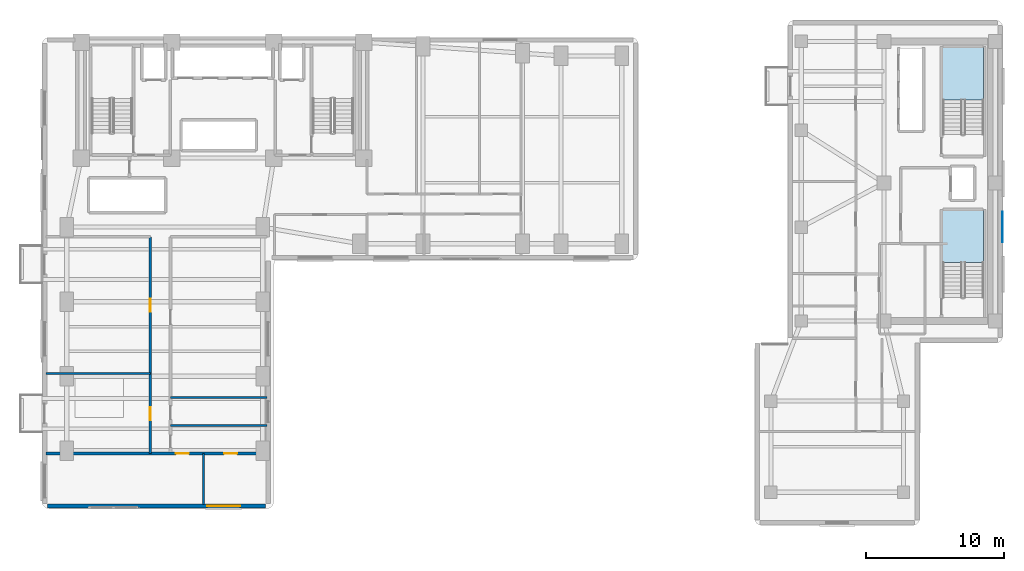
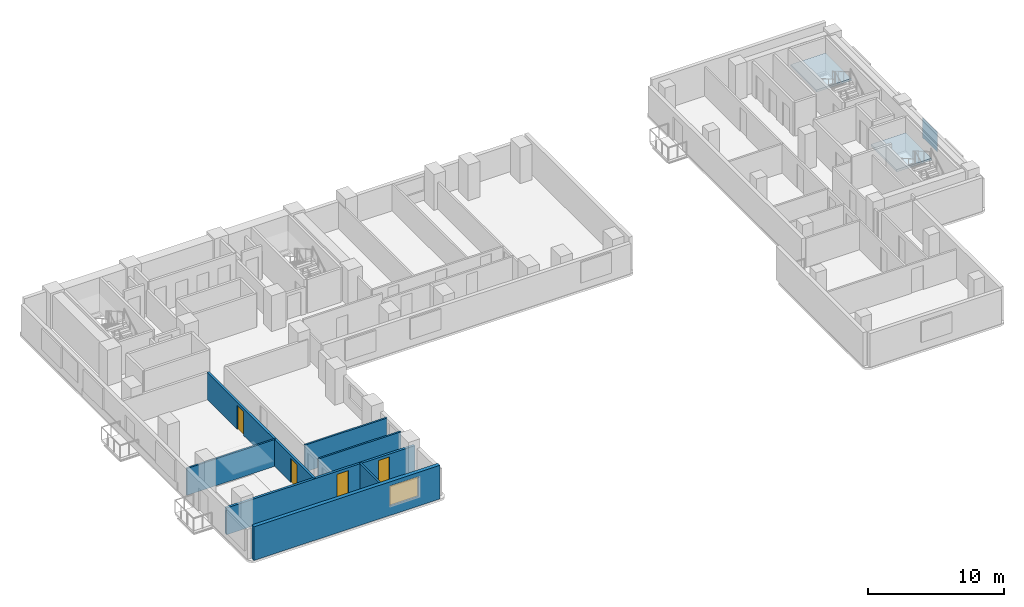
# One storey, part 8 of 16: 7 walls, 4 doors, 2 slabs, 1 plate, 1 window, 5 openings, 2 elements without a shape of their own.
"""IFC4 building model written with IfcOpenShell, lengths in metres."""

from ifc_helpers import new_model, si_unit, direction, frame, frame_2d, origin, origin_2d, place, context, subcontext, project, spatial, polyline, rectangle, outline, extrude, material, layer, layer_set, type_object, element, fill, aggregate, save


model = new_model("IFC4")

# Units and contexts
model_context = context("Model", 3, precision=1e-05, world=origin(), true_north=direction((0.0, 1.0)))
body_context = subcontext(model_context, "Body", "Model", "MODEL_VIEW")
ifc_project = project(units=[si_unit("LENGTHUNIT", "METRE"), si_unit("AREAUNIT", "SQUARE_METRE"), si_unit("VOLUMEUNIT", "CUBIC_METRE"), si_unit("PLANEANGLEUNIT", "RADIAN"), si_unit("MASSUNIT", "GRAM", prefix="KILO")], contexts=[model_context])

# Site, building, storey
site_placement = place(None, origin())
site = spatial("IfcSite", under=ifc_project, at=site_placement, CompositionType="ELEMENT")
building_placement = place(site_placement, origin())
building = spatial("IfcBuilding", under=site, at=building_placement, Name="Kuzgunbayir Cultural Tower", CompositionType="ELEMENT")
storey_placement = place(building_placement, frame((0.0, 0.0, 66.0)))
storey = spatial("IfcBuildingStorey", under=building, at=storey_placement, Name="L18", CompositionType="ELEMENT", Elevation=66.0)

# Plate
ifc_material_1 = material(Name="Perforated Bronze-Anodised Aluminium", Category="aluminium")
ifc_layer_1 = layer(ifc_material_1, 0.02392578125)
ifc_layer_set_1 = layer_set([ifc_layer_1], Name="Perforated Bronze-Anodised Aluminium")
plate_type = type_object("IfcPlateType", Name="PLT-SOLAR-SCREEN-14", PredefinedType="SHEET", material=ifc_layer_set_1)
plate_placement = place(storey_placement, frame((73.169921875, 28.800048828125, 0.75), z_axis=(0.0, 0.0, 1.0), x_axis=(1.0, 0.0, 0.0)))
element("IfcPlate", 1, at=plate_placement, inside=storey, type_object=plate_type, Name="L18 Companion Perforated Ceramic Solar Screen Panel", PredefinedType="SHEET", context=body_context, shape_type="SweptSolid", body=[
    extrude(rectangle(XDim=0.02392578125, YDim=2.199951171875, at=origin_2d()), origin(), (0.0, 0.0, 1.0), 1.800048828125),
])

# Stair, slab
ifc_material_2 = material(Name="Concrete C40/50", Category="concrete")
stair_type = type_object("IfcStairType", Name="STR-EXIT-CORE", PredefinedType="HALF_TURN_STAIR", material=ifc_material_2)
stair_1_placement = place(storey_placement, origin())
stair_1 = element("IfcStair", 2, at=stair_1_placement, inside=storey, type_object=stair_type, Name="L18 ST-3", PredefinedType="HALF_TURN_STAIR")
ifc_layer_2 = layer(ifc_material_2, 0.179931640625)
ifc_layer_set_2 = layer_set([ifc_layer_2], Name="Concrete C40/50")
slab_type = type_object("IfcSlabType", Name="SLB-LANDING-180", PredefinedType="LANDING", material=ifc_layer_set_2)
slab_1_placement = place(storey_placement, frame((0.0, 0.0, 1.39990234375)))
slab_1 = element("IfcSlab", 3, at=slab_1_placement, type_object=slab_type, Name="ST-3 landing 1", PredefinedType="LANDING", context=body_context, shape_type="SweptSolid", body=[
    extrude(outline(polyline([(71.800048828125, 26.219970703125), (71.800048828125, 30.0), (68.840087890625, 30.0), (68.840087890625, 26.219970703125), (71.800048828125, 26.219970703125)])), origin(), (0.0, 0.0, 1.0), 0.2001953125),
])
aggregate(stair_1, [slab_1])

stair_2_placement = place(storey_placement, origin())
stair_2 = element("IfcStair", 4, at=stair_2_placement, inside=storey, type_object=stair_type, Name="L18 ST-4", PredefinedType="HALF_TURN_STAIR")
slab_2_placement = place(storey_placement, frame((0.0, 0.0, 1.39990234375)))
slab_2 = element("IfcSlab", 5, at=slab_2_placement, type_object=slab_type, Name="ST-4 landing 1", PredefinedType="LANDING", context=body_context, shape_type="SweptSolid", body=[
    extrude(outline(polyline([(71.800048828125, 38.02001953125), (71.800048828125, 41.800048828125), (68.840087890625, 41.800048828125), (68.840087890625, 38.02001953125), (71.800048828125, 38.02001953125)])), origin(), (0.0, 0.0, 1.0), 0.2001953125),
])
aggregate(stair_2, [slab_2])

# Wall, opening, window
ifc_material_3 = material(Name="Travertine Buff Ashlar", Category="masonry")
ifc_layer_3 = layer(ifc_material_3, 0.320068359375)
ifc_layer_set_3 = layer_set([ifc_layer_3], Name="Travertine Buff Ashlar")
wall_type_1 = type_object("IfcWallType", Name="WAL-EXT-STONE-320", PredefinedType="STANDARD", material=ifc_layer_set_3)
wall_1_placement = place(storey_placement, frame((4.0, 8.60009765625, 0.0), z_axis=(0.0, 0.0, 1.0), x_axis=(1.0, 0.0, 0.0)))
wall_1 = element("IfcWall", 6, at=wall_1_placement, inside=storey, type_object=wall_type_1, Name="L18 Wing A South Limestone Wall", PredefinedType="STANDARD", context=body_context, shape_type="SweptSolid", body=[
    extrude(rectangle(XDim=15.800048828125, YDim=0.320068359375, at=frame_2d((7.89990234375, 0.0))), origin(), (0.0, 0.0, 1.0), 3.02001953125),
])
opening_1_placement = place(wall_1_placement, frame((11.56005859375, 0.0, 0.85009765625)))
opening_1 = element("IfcOpeningElement", 7, at=opening_1_placement, cuts=wall_1, Name="Opening WO-24", PredefinedType="OPENING", context=body_context, shape_type="SweptSolid", body=[
    extrude(rectangle(XDim=2.39990234375, YDim=1.800048828125, at=frame_2d((1.199951171875, 0.89990234375))), frame((0.0, 0.169921875, 0.0), z_axis=(0.0, -1.0, 0.0), x_axis=(1.0, 0.0, 0.0)), (0.0, 0.0, 1.0), 0.340087890625),
])
ifc_material_4 = material(Name="Solar-Control Triple Glazing", Category="glass")
window_type = type_object("IfcWindowType", Name="WIN-OFFICE-24", PartitioningType="SINGLE_PANEL", PredefinedType="WINDOW", material=ifc_material_4)
window_placement = place(opening_1_placement, origin())
window = element("IfcWindow", 8, at=window_placement, inside=storey, type_object=window_type, Name="L18 WAS Facade Window 8", OverallHeight=1.800048828125, OverallWidth=2.39990234375, PartitioningType="SINGLE_PANEL", PredefinedType="WINDOW", context=body_context, shape_type="SweptSolid", body=[
    extrude(rectangle(XDim=2.39990234375, YDim=1.800048828125, at=frame_2d((1.199951171875, 0.89990234375))), frame((0.0, 0.030029296875, 0.0), z_axis=(0.0, -1.0, 0.0), x_axis=(1.0, 0.0, 0.0)), (0.0, 0.0, 1.0), 0.06005859375),
])
fill(opening_1, window)

# Walls
ifc_material_5 = material(Name="Acoustic Double-Stud Drywall", Category="gypsum")
ifc_layer_4 = layer(ifc_material_5, 0.14990234375)
ifc_layer_set_4 = layer_set([ifc_layer_4], Name="Acoustic Double-Stud Drywall")
wall_type_2 = type_object("IfcWallType", Name="WAL-PART-ACOUSTIC-150", PredefinedType="PARTITIONING", material=ifc_layer_set_4)
wall_2_placement = place(storey_placement, frame((3.89990234375, 18.2099609375, 0.0), z_axis=(0.0, 0.0, 1.0), x_axis=(1.0, 0.0, 0.0)))
element("IfcWall", 9, at=wall_2_placement, inside=storey, type_object=wall_type_2, Name="L18 West Suite Partition 1", PredefinedType="PARTITIONING", context=body_context, shape_type="SweptSolid", body=[
    extrude(rectangle(XDim=7.550048828125, YDim=0.14990234375, at=frame_2d((3.77490234375, 0.0))), origin(), (0.0, 0.0, 1.0), 2.409912109375),
])
wall_3_placement = place(storey_placement, frame((15.31005859375, 8.699951171875, 0.0), z_axis=(0.0, 0.0, 1.0), x_axis=(0.0, 1.0, 0.0)))
element("IfcWall", 10, at=wall_3_placement, inside=storey, type_object=wall_type_2, Name="L18 South Suite Divider 1", PredefinedType="PARTITIONING", context=body_context, shape_type="SweptSolid", body=[
    extrude(rectangle(XDim=3.699951171875, YDim=0.14990234375, at=frame_2d((1.85009765625, 0.0))), origin(), (0.0, 0.0, 1.0), 2.409912109375),
])

# Wall, openings, doors
ifc_material_6 = material(Name="Aerated Concrete Blockwork", Category="masonry")
ifc_layer_5 = layer(ifc_material_6, 0.199951171875)
ifc_layer_set_5 = layer_set([ifc_layer_5], Name="Aerated Concrete Blockwork")
wall_type_3 = type_object("IfcWallType", Name="WAL-PART-FIRE-200", PredefinedType="PARTITIONING", material=ifc_layer_set_5)
wall_4_placement = place(storey_placement, frame((11.449951171875, 12.39990234375, 0.0), z_axis=(0.0, 0.0, 1.0), x_axis=(0.0, 1.0, 0.0)))
wall_4 = element("IfcWall", 11, at=wall_4_placement, inside=storey, type_object=wall_type_3, Name="L18 Wing A West Corridor Wall", PredefinedType="PARTITIONING", context=body_context, shape_type="SweptSolid", body=[
    extrude(rectangle(XDim=15.7001953125, YDim=0.199951171875, at=frame_2d((7.85009765625, 0.0))), origin(), (0.0, 0.0, 1.0), 2.409912109375),
])
opening_2_placement = place(wall_4_placement, frame((2.419921875, 0.0, 0.0)))
opening_2 = element("IfcOpeningElement", 12, at=opening_2_placement, cuts=wall_4, Name="Opening DI-90", PredefinedType="OPENING", context=body_context, shape_type="SweptSolid", body=[
    extrude(rectangle(XDim=0.949951171875, YDim=2.14990234375, at=frame_2d((0.47509765625, 1.074951171875))), frame((0.0, 0.10986328125, 0.0), z_axis=(0.0, -1.0, 0.0), x_axis=(1.0, 0.0, 0.0)), (0.0, 0.0, 1.0), 0.219970703125),
])
opening_3_placement = place(wall_4_placement, frame((10.280029296875, 0.0, 0.0)))
opening_3 = element("IfcOpeningElement", 13, at=opening_3_placement, cuts=wall_4, Name="Opening DI-90", PredefinedType="OPENING", context=body_context, shape_type="SweptSolid", body=[
    extrude(rectangle(XDim=0.949951171875, YDim=2.14990234375, at=frame_2d((0.47509765625, 1.074951171875))), frame((0.0, 0.10986328125, 0.0), z_axis=(0.0, -1.0, 0.0), x_axis=(1.0, 0.0, 0.0)), (0.0, 0.0, 1.0), 0.219970703125),
])
ifc_material_7 = material(Name="Veneered Oak Single Leaf", Category="wood")
door_type = type_object("IfcDoorType", Name="DR-INT-90", OperationType="NOTDEFINED", PredefinedType="DOOR", material=ifc_material_7)
door_1_placement = place(opening_2_placement, origin())
door_1 = element("IfcDoor", 14, at=door_1_placement, inside=storey, type_object=door_type, Name="L18 Curatorial Office W1 Door", OperationType="SINGLE_SWING_RIGHT", OverallHeight=2.14990234375, OverallWidth=0.949951171875, PredefinedType="DOOR", context=body_context, shape_type="SweptSolid", body=[
    extrude(rectangle(XDim=0.949951171875, YDim=2.14990234375, at=frame_2d((0.47509765625, 1.074951171875))), frame((0.0, 0.02490234375, 0.0), z_axis=(0.0, -1.0, 0.0), x_axis=(1.0, 0.0, 0.0)), (0.0, 0.0, 1.0), 0.050048828125),
])
fill(opening_2, door_1)
door_2_placement = place(opening_3_placement, origin())
door_2 = element("IfcDoor", 15, at=door_2_placement, inside=storey, type_object=door_type, Name="L18 Wellness Consultation Studio W2 Door", OperationType="SINGLE_SWING_LEFT", OverallHeight=2.14990234375, OverallWidth=0.949951171875, PredefinedType="DOOR", context=body_context, shape_type="SweptSolid", body=[
    extrude(rectangle(XDim=0.949951171875, YDim=2.14990234375, at=frame_2d((0.47509765625, 1.074951171875))), frame((0.0, 0.02490234375, 0.0), z_axis=(0.0, -1.0, 0.0), x_axis=(1.0, 0.0, 0.0)), (0.0, 0.0, 1.0), 0.050048828125),
])
fill(opening_3, door_2)

wall_5_placement = place(storey_placement, frame((3.89990234375, 12.39990234375, 0.0), z_axis=(0.0, 0.0, 1.0), x_axis=(1.0, 0.0, 0.0)))
wall_5 = element("IfcWall", 16, at=wall_5_placement, inside=storey, type_object=wall_type_3, Name="L18 South Cross Partition", PredefinedType="PARTITIONING", context=body_context, shape_type="SweptSolid", body=[
    extrude(rectangle(XDim=16.0, YDim=0.199951171875, at=frame_2d((8.0, 0.0))), origin(), (0.0, 0.0, 1.0), 2.409912109375),
])
opening_4_placement = place(wall_5_placement, frame((9.39990234375, 0.0, 0.0)))
opening_4 = element("IfcOpeningElement", 17, at=opening_4_placement, cuts=wall_5, Name="Opening DI-90", PredefinedType="OPENING", context=body_context, shape_type="SweptSolid", body=[
    extrude(rectangle(XDim=0.949951171875, YDim=2.14990234375, at=frame_2d((0.47509765625, 1.074951171875))), frame((0.0, 0.10986328125, 0.0), z_axis=(0.0, -1.0, 0.0), x_axis=(1.0, 0.0, 0.0)), (0.0, 0.0, 1.0), 0.219970703125),
])
opening_5_placement = place(wall_5_placement, frame((12.89990234375, 0.0, 0.0)))
opening_5 = element("IfcOpeningElement", 18, at=opening_5_placement, cuts=wall_5, Name="Opening DI-90", PredefinedType="OPENING", context=body_context, shape_type="SweptSolid", body=[
    extrude(rectangle(XDim=0.949951171875, YDim=2.14990234375, at=frame_2d((0.47509765625, 1.074951171875))), frame((0.0, 0.10986328125, 0.0), z_axis=(0.0, -1.0, 0.0), x_axis=(1.0, 0.0, 0.0)), (0.0, 0.0, 1.0), 0.219970703125),
])
door_3_placement = place(opening_4_placement, origin())
door_3 = element("IfcDoor", 19, at=door_3_placement, inside=storey, type_object=door_type, Name="L18 South Suite S1 Door", OperationType="SINGLE_SWING_RIGHT", OverallHeight=2.14990234375, OverallWidth=0.949951171875, PredefinedType="DOOR", context=body_context, shape_type="SweptSolid", body=[
    extrude(rectangle(XDim=0.949951171875, YDim=2.14990234375, at=frame_2d((0.47509765625, 1.074951171875))), frame((0.0, 0.02490234375, 0.0), z_axis=(0.0, -1.0, 0.0), x_axis=(1.0, 0.0, 0.0)), (0.0, 0.0, 1.0), 0.050048828125),
])
fill(opening_4, door_3)
door_4_placement = place(opening_5_placement, origin())
door_4 = element("IfcDoor", 20, at=door_4_placement, inside=storey, type_object=door_type, Name="L18 South Suite S2 Door", OperationType="SINGLE_SWING_LEFT", OverallHeight=2.14990234375, OverallWidth=0.949951171875, PredefinedType="DOOR", context=body_context, shape_type="SweptSolid", body=[
    extrude(rectangle(XDim=0.949951171875, YDim=2.14990234375, at=frame_2d((0.47509765625, 1.074951171875))), frame((0.0, 0.02490234375, 0.0), z_axis=(0.0, -1.0, 0.0), x_axis=(1.0, 0.0, 0.0)), (0.0, 0.0, 1.0), 0.050048828125),
])
fill(opening_5, door_4)

# Walls
ifc_material_8 = material(Name="Moisture-Resistant Tile Partition", Category="gypsum")
ifc_layer_6 = layer(ifc_material_8, 0.14990234375)
ifc_layer_set_6 = layer_set([ifc_layer_6], Name="Moisture-Resistant Tile Partition")
wall_type_4 = type_object("IfcWallType", Name="WAL-PART-WET-150", PredefinedType="PARTITIONING", material=ifc_layer_set_6)
for number, where, z_axis, x_axis, name in (
    (21, (12.909912109375, 14.429931640625, 0.0), (0.0, 0.0, 1.0), (1.0, 0.0, 0.0), "L18 WC North Wall"),
    (22, (12.909912109375, 16.4599609375, 0.0), (0.0, 0.0, 1.0), (1.0, 0.0, 0.0), "L18 Accessible WC North Wall"),
):
    element("IfcWall", number, at=place(storey_placement, frame(where, z_axis=z_axis, x_axis=x_axis)), inside=storey, type_object=wall_type_4, Name=name, PredefinedType="PARTITIONING", context=body_context, shape_type="SweptSolid", body=[
        extrude(rectangle(XDim=6.989990234375, YDim=0.14990234375, at=frame_2d((3.4951171875, 0.0))), origin(), (0.0, 0.0, 1.0), 2.409912109375),
    ])

save(model, "model.ifc")
